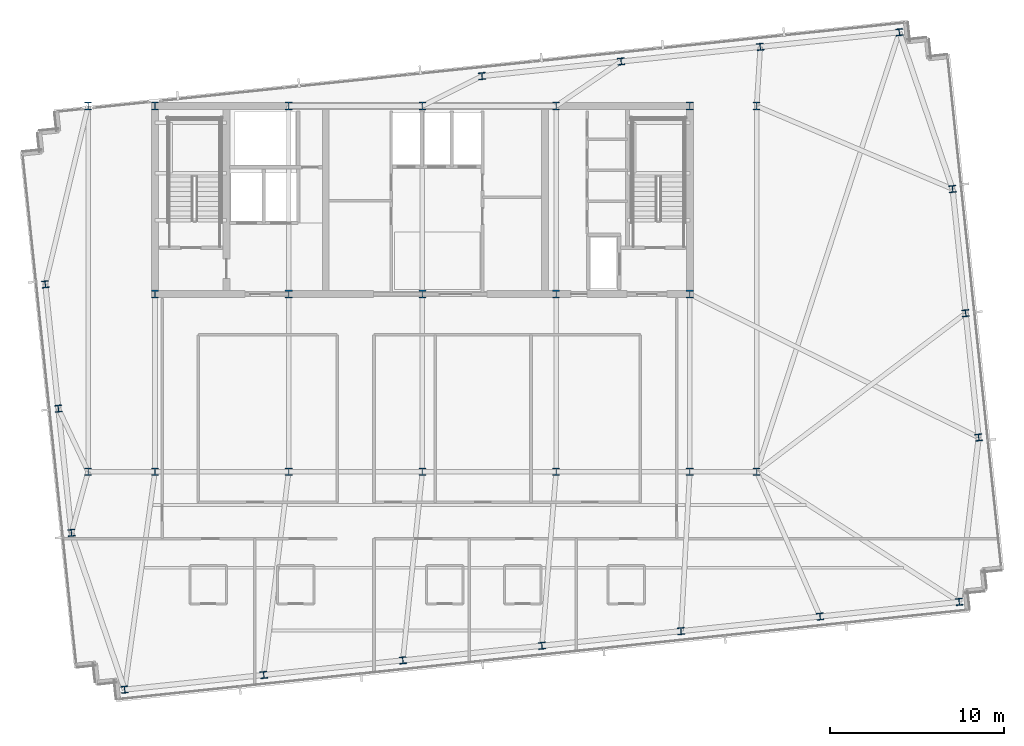
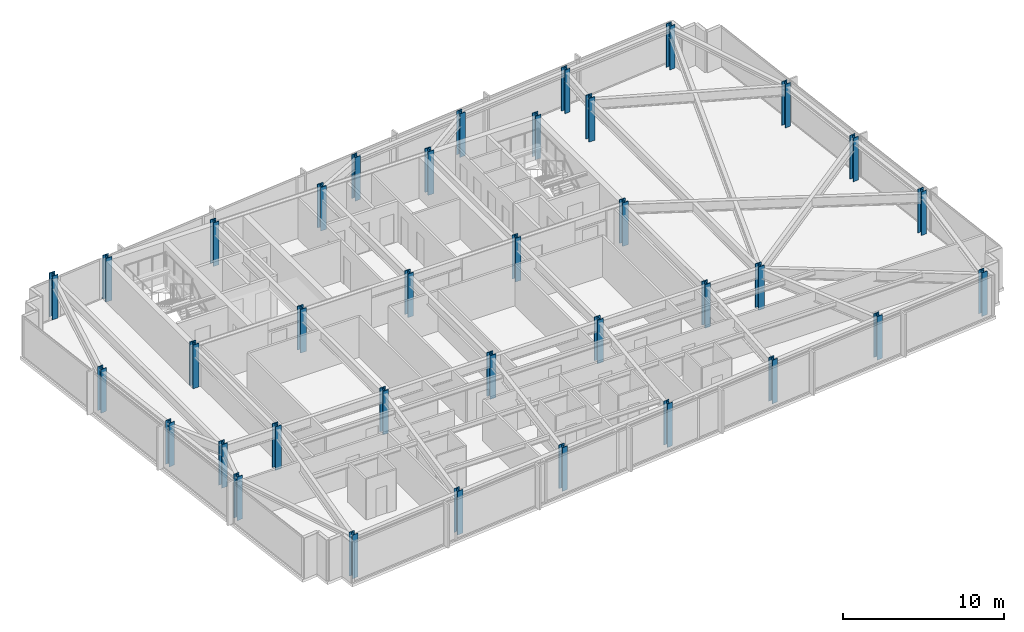
# One storey, part 1 of 33: 36 columns.
"""IFC4 building model written with IfcOpenShell, lengths in metres."""

from ifc_helpers import new_model, si_unit, direction, frame, origin, origin_2d, place, context, subcontext, project, spatial, i_section, extrude, material, material_profile, profile_set, type_object, element, save


model = new_model("IFC4")

# Units and contexts
model_context = context("Model", 3, precision=1e-05, world=origin(), true_north=direction((0.0, 1.0)))
body_context = subcontext(model_context, "Body", "Model", "MODEL_VIEW")
ifc_project = project(units=[si_unit("LENGTHUNIT", "METRE"), si_unit("AREAUNIT", "SQUARE_METRE"), si_unit("VOLUMEUNIT", "CUBIC_METRE"), si_unit("PLANEANGLEUNIT", "RADIAN"), si_unit("MASSUNIT", "GRAM", prefix="KILO")], contexts=[model_context])

# Site, building, storey
site_placement = place(None, origin())
site = spatial("IfcSite", under=ifc_project, at=site_placement, CompositionType="ELEMENT")
building_placement = place(site_placement, origin())
building = spatial("IfcBuilding", under=site, at=building_placement, Name="Yelkora Congress Tower", CompositionType="ELEMENT")
storey_placement = place(building_placement, frame((0.0, 0.0, 227.60009765625)))
storey = spatial("IfcBuildingStorey", under=building, at=storey_placement, Name="L63", CompositionType="ELEMENT", Elevation=227.60009765625)

# Columns
ifc_material_1 = material(Name="Steel S355J2", Category="steel")
ifc_material_profile_1 = material_profile(ifc_material_1, i_section(OverallWidth=0.40087890625, OverallDepth=0.39892578125, WebThickness=0.02490234375, FlangeThickness=0.03955078125, FilletRadius=0.014892578125, at=origin_2d()), Name="HD 400x314")
ifc_profile_set_1 = profile_set([ifc_material_profile_1], Name="Steel S355J2")
column_type_1 = type_object("IfcColumnType", Name="COL-HD-314-EXT", PredefinedType="COLUMN", material=ifc_profile_set_1)
for number, where, z_axis, x_axis, name in (
    (1, (21.299072265625, 12.678466796875, 0.0), (0.0, 0.0, 1.0), (0.994521895368, 0.104528463268, 0.0), "L63 Perimeter Column S01"),
    (2, (29.288330078125, 13.518310546875, 0.0), (0.0, 0.0, 1.0), (0.994521895368, 0.104528463268, 0.0), "L63 Perimeter Column S02"),
    (3, (37.277587890625, 14.35791015625, 0.0), (0.0, 0.0, 1.0), (0.994521895368, 0.104528463268, 0.0), "L63 Perimeter Column S03"),
    (4, (45.26708984375, 15.197509765625, 0.0), (0.0, 0.0, 1.0), (0.994521895368, 0.104528463268, 0.0), "L63 Perimeter Column S04"),
    (5, (53.25634765625, 16.037353515625, 0.0), (0.0, 0.0, 1.0), (0.994521895368, 0.104528463268, 0.0), "L63 Perimeter Column S05"),
    (6, (61.24560546875, 16.877197265625, 0.0), (0.0, 0.0, 1.0), (0.994521895368, 0.104528463268, 0.0), "L63 Perimeter Column S06"),
    (7, (69.235107421875, 17.716796875, 0.0), (0.0, 0.0, 1.0), (0.994521895368, 0.104528463268, 0.0), "L63 Perimeter Column S07"),
    (8, (41.828125, 47.91748046875, 0.0), (0.0, 0.0, 1.0), (0.994521895368, 0.104528463268, 0.0), "L63 Perimeter Column N04"),
    (9, (49.8173828125, 48.757080078125, 0.0), (0.0, 0.0, 1.0), (0.994521895368, 0.104528463268, 0.0), "L63 Perimeter Column N05"),
    (10, (57.806640625, 49.5966796875, 0.0), (0.0, 0.0, 1.0), (0.994521895368, 0.104528463268, 0.0), "L63 Perimeter Column N06"),
    (11, (65.7958984375, 50.4365234375, 0.0), (0.0, 0.0, 1.0), (0.994521895368, 0.104528463268, 0.0), "L63 Perimeter Column N07"),
    (12, (18.2412109375, 21.68310546875, 0.0), (0.0, 0.0, 1.0), (0.994521895368, 0.104528463268, 0.0), "L63 Perimeter Column W01"),
    (13, (70.35400390625, 27.160400390625, 0.0), (0.0, 0.0, 1.0), (0.994521895368, 0.104528463268, 0.0), "L63 Perimeter Column E01"),
    (14, (17.4912109375, 28.81884765625, 0.0), (0.0, 0.0, 1.0), (0.994521895368, 0.104528463268, 0.0), "L63 Perimeter Column W02"),
    (15, (69.60400390625, 34.296142578125, 0.0), (0.0, 0.0, 1.0), (0.994521895368, 0.104528463268, 0.0), "L63 Perimeter Column E02"),
    (16, (16.7412109375, 35.95458984375, 0.0), (0.0, 0.0, 1.0), (0.994521895368, 0.104528463268, 0.0), "L63 Perimeter Column W03"),
    (17, (68.85400390625, 41.431884765625, 0.0), (0.0, 0.0, 1.0), (0.994521895368, 0.104528463268, 0.0), "L63 Perimeter Column E03"),
):
    element("IfcColumn", number, at=place(storey_placement, frame(where, z_axis=z_axis, x_axis=x_axis)), inside=storey, type_object=column_type_1, Name=name, PredefinedType="COLUMN", context=body_context, shape_type="SweptSolid", body=[
        extrude(i_section(OverallWidth=0.40087890625, OverallDepth=0.39892578125, WebThickness=0.02490234375, FlangeThickness=0.03955078125, FilletRadius=0.014892578125, at=origin_2d()), origin(), (0.0, 0.0, 1.0), 3.2998046875),
    ])
ifc_material_2 = material(Name="Steel S460M", Category="steel")
ifc_material_profile_2 = material_profile(ifc_material_2, i_section(OverallWidth=0.412109375, OverallDepth=0.43505859375, WebThickness=0.035888671875, FlangeThickness=0.05810546875, FilletRadius=0.014892578125, at=origin_2d()), Name="HD 400x463")
ifc_profile_set_2 = profile_set([ifc_material_profile_2], Name="Steel S460M")
column_type_2 = type_object("IfcColumnType", Name="COL-HD-463", PredefinedType="COLUMN", material=ifc_profile_set_2)
for number, where, z_axis, x_axis, name in (
    (18, (23.0400390625, 35.39990234375, 0.0), (0.0, 0.0, 1.0), (1.0, 0.0, 0.0), "L63 Mega Column MC-S1"),
    (19, (23.0400390625, 46.199951171875, 0.0), (0.0, 0.0, 1.0), (1.0, 0.0, 0.0), "L63 Mega Column MC-N1"),
    (20, (23.0400390625, 25.199951171875, 0.0), (0.0, 0.0, 1.0), (1.0, 0.0, 0.0), "L63 Mega Column MC-D1"),
    (21, (30.719970703125, 35.39990234375, 0.0), (0.0, 0.0, 1.0), (1.0, 0.0, 0.0), "L63 Mega Column MC-S2"),
    (22, (30.719970703125, 46.199951171875, 0.0), (0.0, 0.0, 1.0), (1.0, 0.0, 0.0), "L63 Mega Column MC-N2"),
    (23, (30.719970703125, 25.199951171875, 0.0), (0.0, 0.0, 1.0), (1.0, 0.0, 0.0), "L63 Mega Column MC-D2"),
    (24, (38.39990234375, 35.39990234375, 0.0), (0.0, 0.0, 1.0), (1.0, 0.0, 0.0), "L63 Mega Column MC-S3"),
    (25, (38.39990234375, 46.199951171875, 0.0), (0.0, 0.0, 1.0), (1.0, 0.0, 0.0), "L63 Mega Column MC-N3"),
    (26, (38.39990234375, 25.199951171875, 0.0), (0.0, 0.0, 1.0), (1.0, 0.0, 0.0), "L63 Mega Column MC-D3"),
    (27, (46.080078125, 35.39990234375, 0.0), (0.0, 0.0, 1.0), (1.0, 0.0, 0.0), "L63 Mega Column MC-S4"),
    (28, (46.080078125, 46.199951171875, 0.0), (0.0, 0.0, 1.0), (1.0, 0.0, 0.0), "L63 Mega Column MC-N4"),
    (29, (46.080078125, 25.199951171875, 0.0), (0.0, 0.0, 1.0), (1.0, 0.0, 0.0), "L63 Mega Column MC-D4"),
    (30, (53.760009765625, 35.39990234375, 0.0), (0.0, 0.0, 1.0), (1.0, 0.0, 0.0), "L63 Mega Column MC-S5"),
    (31, (53.760009765625, 46.199951171875, 0.0), (0.0, 0.0, 1.0), (1.0, 0.0, 0.0), "L63 Mega Column MC-N5"),
    (32, (53.760009765625, 25.199951171875, 0.0), (0.0, 0.0, 1.0), (1.0, 0.0, 0.0), "L63 Mega Column MC-D5"),
    (33, (19.199951171875, 25.199951171875, 0.0), (0.0, 0.0, 1.0), (1.0, 0.0, 0.0), "L63 Mega Column MC-F1"),
    (34, (57.60009765625, 25.199951171875, 0.0), (0.0, 0.0, 1.0), (1.0, 0.0, 0.0), "L63 Mega Column MC-F2"),
    (35, (19.199951171875, 46.199951171875, 0.0), (0.0, 0.0, 1.0), (1.0, 0.0, 0.0), "L63 Mega Column MC-F3"),
    (36, (57.60009765625, 46.199951171875, 0.0), (0.0, 0.0, 1.0), (1.0, 0.0, 0.0), "L63 Mega Column MC-F4"),
):
    element("IfcColumn", number, at=place(storey_placement, frame(where, z_axis=z_axis, x_axis=x_axis)), inside=storey, type_object=column_type_2, Name=name, PredefinedType="COLUMN", context=body_context, shape_type="SweptSolid", body=[
        extrude(i_section(OverallWidth=0.412109375, OverallDepth=0.43505859375, WebThickness=0.035888671875, FlangeThickness=0.05810546875, FilletRadius=0.014892578125, at=origin_2d()), origin(), (0.0, 0.0, 1.0), 3.2998046875),
    ])

save(model, "model.ifc")
